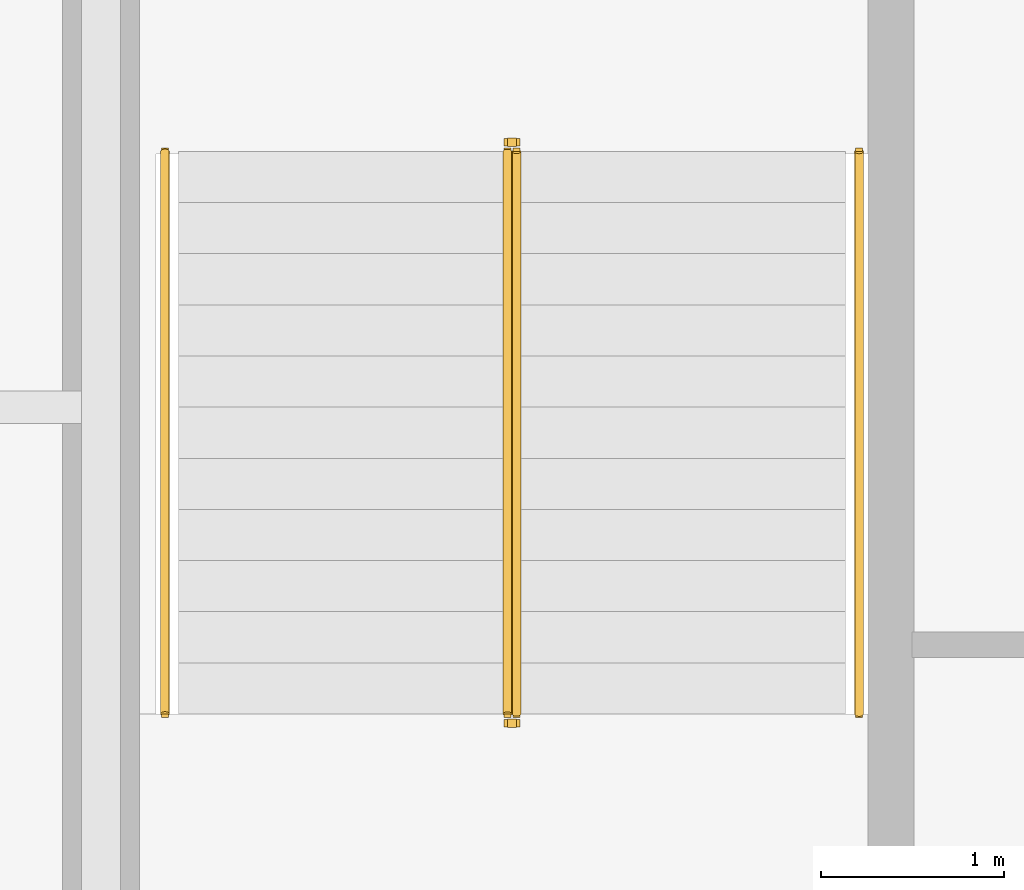
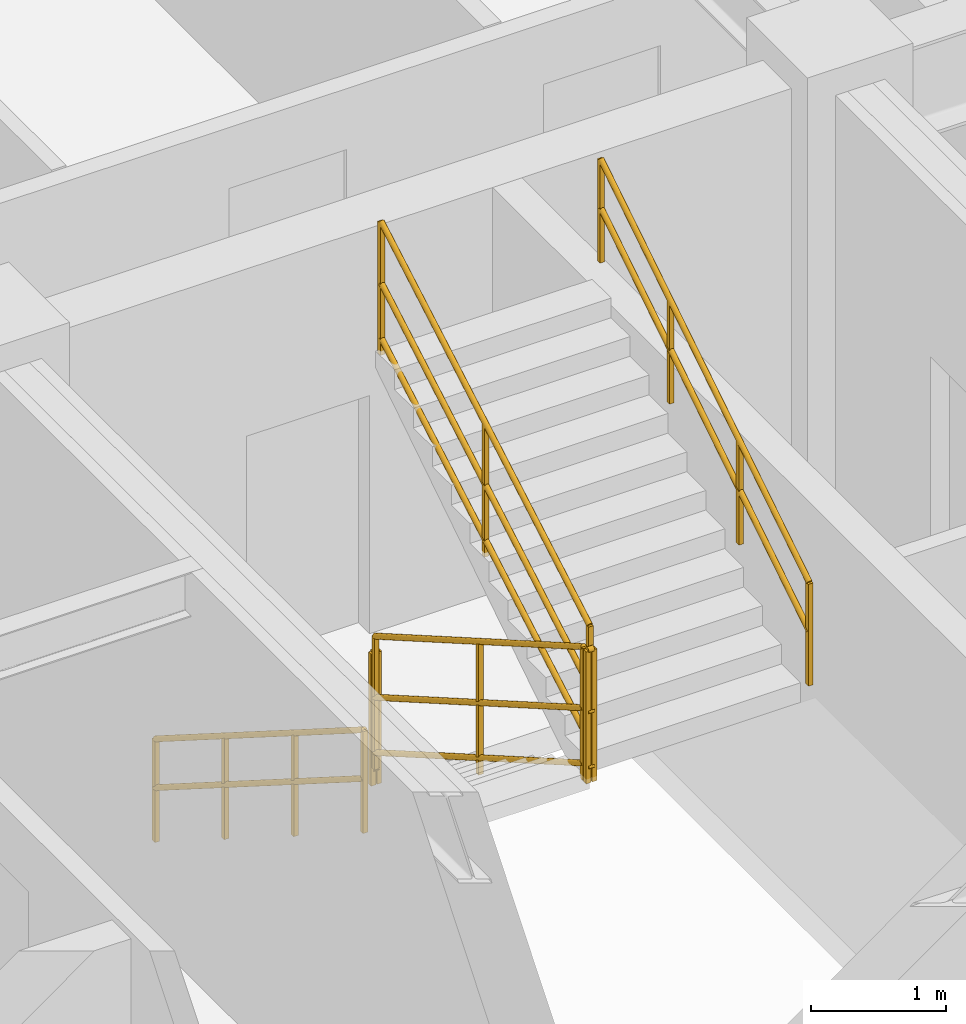
# One storey, part 10 of 10: 6 railings.
"""IFC4 building model written with IfcOpenShell, lengths in metres."""

import ifcopenshell
import ifcopenshell.guid

model = None  # the IFC model being written
_history = None  # IfcOwnerHistory: only IFC2X3 demands one
_inside = {}  # id of a spatial element -> (the spatial element, [elements in it])
_under = {}  # id of a project, library or spatial element -> (it, [spatial elements below it])
_declared = {}  # id of a project -> (the project, [libraries it declares])
_typed = {}  # id of a type object -> (the type object, [elements of that type])
_made_of = {}  # id of a material, layer set ... -> (it, [elements and type objects made of it])


def new_model(schema):
    """Start an empty IFC model of exactly this schema.

    Asked for "IFC4X3", IfcOpenShell would pick the latest addendum, in which some entities
    have other attributes; the version numbers below select the first issue.
    IFC2X3 requires an IfcOwnerHistory on every rooted entity: one is made here for all.
    """
    global model, _history
    if schema == "IFC4X3":
        model = ifcopenshell.file(schema_version=(4, 3, 0, 0))
    else:
        model = ifcopenshell.file(schema=schema)
    _inside.clear()
    _under.clear()
    _declared.clear()
    _typed.clear()
    _made_of.clear()
    _history = None
    if model.schema == "IFC2X3":
        org = make("IfcOrganization", Name="unknown")
        user = make(
            "IfcPersonAndOrganization",
            ThePerson=make("IfcPerson", FamilyName="unknown"),
            TheOrganization=org,
        )
        app = make(
            "IfcApplication",
            ApplicationDeveloper=org,
            Version="unknown",
            ApplicationFullName="unknown",
            ApplicationIdentifier="unknown",
        )
        _history = make(
            "IfcOwnerHistory",
            OwningUser=user,
            OwningApplication=app,
            ChangeAction="ADDED",
            CreationDate=0,
        )
    return model


def make(cls, **values):
    """One entity of the class cls with the attributes given. An attribute that is None is left unset."""
    return model.create_entity(
        cls, **{name: value for name, value in values.items() if value is not None}
    )


def entity(cls, *values):
    """Any entity or typed value of the class cls, its attributes in the order of the schema. None: left unset."""
    e = model.create_entity(cls)
    for i, value in enumerate(values):
        if value is not None:
            e[i] = value
    return e


def rooted(cls, **values):
    """An entity with a GlobalId (a new one), such as an element, a storey or a relation."""
    return make(cls, GlobalId=ifcopenshell.guid.new(), OwnerHistory=_history, **values)


def si_unit(unit_type, name, prefix=None):
    """IfcSIUnit, for example si_unit("LENGTHUNIT", "METRE", prefix="MILLI")."""
    return make("IfcSIUnit", UnitType=unit_type, Prefix=prefix, Name=name)


def converted_unit(unit_type, name, factor, base, dimensions=None, offset=None):
    """IfcConversionBasedUnit, such as the inch: factor (a typed value) times the base unit."""
    return make(
        "IfcConversionBasedUnit"
        if offset is None
        else "IfcConversionBasedUnitWithOffset",
        ConversionOffset=offset,
        Dimensions=None
        if dimensions is None
        else entity("IfcDimensionalExponents", *dimensions),
        UnitType=unit_type,
        Name=name,
        ConversionFactor=make(
            "IfcMeasureWithUnit", ValueComponent=factor, UnitComponent=base
        ),
    )


def assignment(units):
    """IfcUnitAssignment: the units of a project."""
    return None if units is None else make("IfcUnitAssignment", Units=units)


def point(xyz):
    """IfcCartesianPoint."""
    return None if xyz is None else make("IfcCartesianPoint", Coordinates=xyz)


def direction(xyz):
    """IfcDirection."""
    return None if xyz is None else make("IfcDirection", DirectionRatios=xyz)


def frame(location, z_axis=None, x_axis=None):
    """IfcAxis2Placement3D, a coordinate frame: its origin and axes. An axis left out is left unset."""
    return make(
        "IfcAxis2Placement3D",
        Location=point(location),
        Axis=direction(z_axis),
        RefDirection=direction(x_axis),
    )


def frame_2d(location, x_axis=None):
    """IfcAxis2Placement2D, a coordinate frame in the plane: its origin and x axis."""
    return make(
        "IfcAxis2Placement2D", Location=point(location), RefDirection=direction(x_axis)
    )


def origin_with_axes():
    """The frame at (0, 0, 0) with the z axis (0, 0, 1) and the x axis (1, 0, 0) written out."""
    return frame((0.0, 0.0, 0.0), z_axis=(0.0, 0.0, 1.0), x_axis=(1.0, 0.0, 0.0))


def origin_2d_with_axis():
    """The frame at (0, 0) in the plane with the x axis (1, 0) written out."""
    return frame_2d((0.0, 0.0), x_axis=(1.0, 0.0))


def place(relative_to, where):
    """IfcLocalPlacement: puts the frame where relative to a parent placement (None: the world)."""
    return make(
        "IfcLocalPlacement", PlacementRelTo=relative_to, RelativePlacement=where
    )


def context(
    kind, dimensions, precision=None, world=None, true_north=None, identifier=None
):
    """IfcGeometricRepresentationContext, for example the 3D "Model" context."""
    return make(
        "IfcGeometricRepresentationContext",
        ContextIdentifier=identifier,
        ContextType=kind,
        CoordinateSpaceDimension=dimensions,
        Precision=precision,
        WorldCoordinateSystem=world,
        TrueNorth=true_north,
    )


def subcontext(parent, identifier, kind, view, scale=None):
    """IfcGeometricRepresentationSubContext, for example "Body" below "Model"."""
    return make(
        "IfcGeometricRepresentationSubContext",
        ContextIdentifier=identifier,
        ContextType=kind,
        ParentContext=parent,
        TargetScale=scale,
        TargetView=view,
    )


def project(units=None, contexts=None):
    """IfcProject with its units and contexts."""
    return rooted(
        "IfcProject",
        Name="project",
        RepresentationContexts=contexts,
        UnitsInContext=assignment(units),
    )


def spatial(cls, under=None, at=None, **own):
    """A site, building, storey or space (cls), placed at a placement, below another one or the project."""
    s = rooted(cls, ObjectPlacement=at, **own)
    if under is not None:
        _under.setdefault(under.id(), (under, []))[1].append(s)
    return s


def profile(cls, at=None, kind="AREA", **sizes):
    """A parametric profile (cls). Its sizes go by their IFC names, for example OverallWidth=200.0."""
    return make(cls, ProfileType=kind, Position=at, **sizes)


def rectangle(**sizes):
    """IfcRectangleProfileDef."""
    return profile("IfcRectangleProfileDef", **sizes)


def circle(**sizes):
    """IfcCircleProfileDef."""
    return profile("IfcCircleProfileDef", **sizes)


def extrude(swept, where, along, depth):
    """IfcExtrudedAreaSolid: the profile swept, set in the frame where, extruded along a direction by depth."""
    return make(
        "IfcExtrudedAreaSolid",
        SweptArea=swept,
        Position=where,
        ExtrudedDirection=direction(along),
        Depth=depth,
    )


def shape(context_of_items, identifier, shape_type, items):
    """IfcShapeRepresentation: the items that make up one representation, for example the "Body"."""
    return make(
        "IfcShapeRepresentation",
        ContextOfItems=context_of_items,
        RepresentationIdentifier=identifier,
        RepresentationType=shape_type,
        Items=items,
    )


def material(Name=None, Category=None):
    """IfcMaterial."""
    return make("IfcMaterial", Name=Name, Category=Category)


def made_of(thing, what):
    """Note that an element or type object is made of a material, layer set ...; save() writes the relation."""
    if what is not None:
        _made_of.setdefault(what.id(), (what, []))[1].append(thing)
    return thing


def type_object(cls, material=None, **own):
    """A type object (cls), such as IfcWallType, which elements share."""
    return made_of(rooted(cls, **own), material)


def element(
    cls,
    number,
    at=None,
    inside=None,
    cuts=None,
    type_object=None,
    material=None,
    context=None,
    identifier="Body",
    shape_type=None,
    held_by="IfcProductDefinitionShape",
    body=None,
    shapes=None,
    **own,
):
    """One element of the class cls, such as IfcWall. Its Tag is "e" and its number.

    at: its placement. inside: the storey or other place that contains it. cuts: it is an
    opening in that element (IfcRelVoidsElement). A single representation is given by context,
    identifier, shape_type and body (its items); several are given by shapes. held_by: the class
    of the entity that holds the representations. save() writes the other relations.
    """
    e = rooted(cls, Tag="e%d" % number, ObjectPlacement=at, **own)
    if body is not None:
        shapes = [shape(context, identifier, shape_type, body)]
    if shapes is not None:
        e.Representation = make(held_by, Representations=shapes)
    if inside is not None:
        _inside.setdefault(inside.id(), (inside, []))[1].append(e)
    if cuts is not None:
        rooted(
            "IfcRelVoidsElement", RelatingBuildingElement=cuts, RelatedOpeningElement=e
        )
    if type_object is not None:
        _typed.setdefault(type_object.id(), (type_object, []))[1].append(e)
    return made_of(e, material)


def aggregate(whole, parts):
    """IfcRelAggregates: a whole, such as a stair, and the parts it consists of."""
    return rooted("IfcRelAggregates", RelatingObject=whole, RelatedObjects=parts)


def save(model, path):
    """Write the relations noted so far, then the file.

    IfcRelAggregates (storeys below a building ...), IfcRelContainedInSpatialStructure (elements
    in a storey), IfcRelDefinesByType, IfcRelAssociatesMaterial and IfcRelDeclares: one each for
    every whole, place, type object, material and project.
    """
    for whole, parts in _under.values():
        aggregate(whole, parts)
    for where, things in _inside.values():
        rooted(
            "IfcRelContainedInSpatialStructure",
            RelatedElements=things,
            RelatingStructure=where,
        )
    for kind, things in _typed.values():
        rooted("IfcRelDefinesByType", RelatedObjects=things, RelatingType=kind)
    for what, things in _made_of.values():
        rooted("IfcRelAssociatesMaterial", RelatedObjects=things, RelatingMaterial=what)
    for by, libraries in _declared.values():
        rooted("IfcRelDeclares", RelatingContext=by, RelatedDefinitions=libraries)
    model.write(path)


model = new_model("IFC4")

# Units and contexts
model_context = context("Model", 3, precision=1e-05, world=origin_with_axes(), true_north=direction((0.0, 1.0)))
body_context = subcontext(model_context, "Body", "Model", "MODEL_VIEW")
ifc_project = project(units=[si_unit("LENGTHUNIT", "METRE"), si_unit("AREAUNIT", "SQUARE_METRE"), si_unit("VOLUMEUNIT", "CUBIC_METRE"), converted_unit("PLANEANGLEUNIT", "DEGREE", entity("IfcPlaneAngleMeasure", 0.017453292519943295), si_unit("PLANEANGLEUNIT", "RADIAN"), dimensions=[0, 0, 0, 0, 0, 0, 0]), si_unit("MASSUNIT", "GRAM", prefix="KILO"), si_unit("THERMODYNAMICTEMPERATUREUNIT", "KELVIN")], contexts=[model_context])

# Site, building, storey
site_placement = place(None, origin_with_axes())
site = spatial("IfcSite", under=ifc_project, at=site_placement, CompositionType="ELEMENT")
building_placement = place(site_placement, origin_with_axes())
building = spatial("IfcBuilding", under=site, at=building_placement, Name="Varnlund Millrace Tower", CompositionType="ELEMENT")
storey_placement = place(building_placement, frame((0.0, 0.0, 240.3), z_axis=(0.0, 0.0, 1.0), x_axis=(1.0, 0.0, 0.0)))
storey = spatial("IfcBuildingStorey", under=building, at=storey_placement, Name="L59", CompositionType="ELEMENT", Elevation=240.3)

# Railings
ifc_material_1 = material(Name="Painted steel stair well balustrade guard", Category="steel")
railing_type_1 = type_object("IfcRailingType", Name="Type-StairGuard-1150", PredefinedType="GUARDRAIL", material=ifc_material_1)
railing_1_placement = place(storey_placement, frame((0.0, 0.0, -240.3), z_axis=(0.0, 0.0, 1.0), x_axis=(1.0, 0.0, 0.0)))
element("IfcRailing", 1, at=railing_1_placement, inside=storey, type_object=railing_type_1, Name="Type-StairGuard-1150", PredefinedType="GUARDRAIL", context=body_context, shape_type="SweptSolid", body=[
    extrude(circle(Radius=0.024, at=origin_2d_with_axis()), frame((13.625, 35.9, 241.627273), z_axis=(0.0, -0.866696, 0.498836), x_axis=(1.0, 0.0, 0.0)), (0.0, 0.0, 1.0), 3.553725),
    extrude(circle(Radius=0.024, at=origin_2d_with_axis()), frame((13.625, 35.9, 240.577273), z_axis=(0.0, -0.866696, 0.498836), x_axis=(1.0, 0.0, 0.0)), (0.0, 0.0, 1.0), 3.553725),
    extrude(circle(Radius=0.024, at=origin_2d_with_axis()), frame((13.625, 35.9, 241.075273), z_axis=(0.0, -0.866696, 0.498836), x_axis=(1.0, 0.0, 0.0)), (0.0, 0.0, 1.0), 3.553725),
    extrude(rectangle(XDim=0.04, YDim=0.04, at=origin_2d_with_axis()), frame((13.625, 35.9, 240.437273), z_axis=(0.0, 0.0, 1.0), x_axis=(1.0, 0.0, 0.0)), (0.0, 0.0, 1.0), 1.19),
    extrude(rectangle(XDim=0.04, YDim=0.04, at=origin_2d_with_axis()), frame((13.625, 34.36, 241.323636), z_axis=(0.0, 0.0, 1.0), x_axis=(1.0, 0.0, 0.0)), (0.0, 0.0, 1.0), 1.19),
    extrude(rectangle(XDim=0.04, YDim=0.04, at=origin_2d_with_axis()), frame((13.625, 32.82, 242.21), z_axis=(0.0, 0.0, 1.0), x_axis=(1.0, 0.0, 0.0)), (0.0, 0.0, 1.0), 1.19),
])
railing_2_placement = place(storey_placement, frame((0.0, 0.0, -240.3), z_axis=(0.0, 0.0, 1.0), x_axis=(1.0, 0.0, 0.0)))
element("IfcRailing", 2, at=railing_2_placement, inside=storey, type_object=railing_type_1, Name="Type-StairGuard-1150", PredefinedType="GUARDRAIL", context=body_context, shape_type="SweptSolid", body=[
    extrude(circle(Radius=0.024, at=origin_2d_with_axis()), frame((13.675, 32.77, 243.4), z_axis=(-1.0, 0.0, 0.0), x_axis=(0.0, -1.0, 0.0)), (0.0, 0.0, 1.0), 0.05),
    extrude(circle(Radius=0.024, at=origin_2d_with_axis()), frame((13.675, 32.77, 242.35), z_axis=(-1.0, 0.0, 0.0), x_axis=(0.0, -1.0, 0.0)), (0.0, 0.0, 1.0), 0.05),
    extrude(circle(Radius=0.024, at=origin_2d_with_axis()), frame((13.675, 32.77, 242.848), z_axis=(-1.0, 0.0, 0.0), x_axis=(0.0, -1.0, 0.0)), (0.0, 0.0, 1.0), 0.05),
    extrude(rectangle(XDim=0.04, YDim=0.04, at=origin_2d_with_axis()), frame((13.675, 32.77, 242.21), z_axis=(0.0, 0.0, 1.0), x_axis=(1.0, 0.0, 0.0)), (0.0, 0.0, 1.0), 1.19),
    extrude(rectangle(XDim=0.04, YDim=0.04, at=origin_2d_with_axis()), frame((13.625, 32.77, 242.21), z_axis=(0.0, 0.0, 1.0), x_axis=(1.0, 0.0, 0.0)), (0.0, 0.0, 1.0), 1.19),
])
railing_3_placement = place(storey_placement, frame((0.0, 0.0, -240.3), z_axis=(0.0, 0.0, 1.0), x_axis=(1.0, 0.0, 0.0)))
element("IfcRailing", 3, at=railing_3_placement, inside=storey, type_object=railing_type_1, Name="Type-StairGuard-1150", PredefinedType="GUARDRAIL", context=body_context, shape_type="SweptSolid", body=[
    extrude(circle(Radius=0.024, at=origin_2d_with_axis()), frame((13.675, 32.82, 243.577273), z_axis=(0.0, 0.866696, 0.498836), x_axis=(-1.0, 0.0, 0.0)), (0.0, 0.0, 1.0), 3.553725),
    extrude(circle(Radius=0.024, at=origin_2d_with_axis()), frame((13.675, 32.82, 242.527273), z_axis=(0.0, 0.866696, 0.498836), x_axis=(-1.0, 0.0, 0.0)), (0.0, 0.0, 1.0), 3.553725),
    extrude(circle(Radius=0.024, at=origin_2d_with_axis()), frame((13.675, 32.82, 243.025273), z_axis=(0.0, 0.866696, 0.498836), x_axis=(-1.0, 0.0, 0.0)), (0.0, 0.0, 1.0), 3.553725),
    extrude(rectangle(XDim=0.04, YDim=0.04, at=origin_2d_with_axis()), frame((13.675, 32.82, 242.387273), z_axis=(0.0, 0.0, 1.0), x_axis=(1.0, 0.0, 0.0)), (0.0, 0.0, 1.0), 1.19),
    extrude(rectangle(XDim=0.04, YDim=0.04, at=origin_2d_with_axis()), frame((13.675, 34.36, 243.273637), z_axis=(0.0, 0.0, 1.0), x_axis=(1.0, 0.0, 0.0)), (0.0, 0.0, 1.0), 1.19),
    extrude(rectangle(XDim=0.04, YDim=0.04, at=origin_2d_with_axis()), frame((13.675, 35.9, 244.16), z_axis=(0.0, 0.0, 1.0), x_axis=(1.0, 0.0, 0.0)), (0.0, 0.0, 1.0), 1.19),
])
railing_4_placement = place(storey_placement, frame((0.0, 0.0, -240.3), z_axis=(0.0, 0.0, 1.0), x_axis=(1.0, 0.0, 0.0)))
element("IfcRailing", 4, at=railing_4_placement, inside=storey, type_object=railing_type_1, Name="Type-StairGuard-1150", PredefinedType="GUARDRAIL", context=body_context, shape_type="SweptSolid", body=[
    extrude(circle(Radius=0.024, at=origin_2d_with_axis()), frame((13.675, 35.95, 241.45), z_axis=(-1.0, 0.0, 0.0), x_axis=(0.0, -1.0, 0.0)), (0.0, 0.0, 1.0), 0.05),
    extrude(circle(Radius=0.024, at=origin_2d_with_axis()), frame((13.675, 35.95, 240.4), z_axis=(-1.0, 0.0, 0.0), x_axis=(0.0, -1.0, 0.0)), (0.0, 0.0, 1.0), 0.05),
    extrude(circle(Radius=0.024, at=origin_2d_with_axis()), frame((13.675, 35.95, 240.898), z_axis=(-1.0, 0.0, 0.0), x_axis=(0.0, -1.0, 0.0)), (0.0, 0.0, 1.0), 0.05),
    extrude(rectangle(XDim=0.04, YDim=0.04, at=origin_2d_with_axis()), frame((13.675, 35.95, 240.26), z_axis=(0.0, 0.0, 1.0), x_axis=(1.0, 0.0, 0.0)), (0.0, 0.0, 1.0), 1.19),
    extrude(rectangle(XDim=0.04, YDim=0.04, at=origin_2d_with_axis()), frame((13.625, 35.95, 240.26), z_axis=(0.0, 0.0, 1.0), x_axis=(1.0, 0.0, 0.0)), (0.0, 0.0, 1.0), 1.19),
])
ifc_material_2 = material(Name="Brushed architectural bronze stair handrail", Category="aluminium")
railing_type_2 = type_object("IfcRailingType", Name="Type-StairHandrail-900", PredefinedType="HANDRAIL", material=ifc_material_2)
railing_5_placement = place(storey_placement, frame((0.0, 0.0, -240.3), z_axis=(0.0, 0.0, 1.0), x_axis=(1.0, 0.0, 0.0)))
element("IfcRailing", 5, at=railing_5_placement, inside=storey, type_object=railing_type_2, Name="Type-StairHandrail-900", PredefinedType="HANDRAIL", context=body_context, shape_type="SweptSolid", body=[
    extrude(circle(Radius=0.024, at=origin_2d_with_axis()), frame((11.75, 35.9, 241.356995), z_axis=(0.0, -0.844902, 0.534922), x_axis=(1.0, 0.0, 0.0)), (0.0, 0.0, 1.0), 3.645394),
    extrude(circle(Radius=0.024, at=origin_2d_with_axis()), frame((11.75, 35.9, 240.917134), z_axis=(0.0, -0.844902, 0.534922), x_axis=(1.0, 0.0, 0.0)), (0.0, 0.0, 1.0), 3.645394),
    extrude(rectangle(XDim=0.04, YDim=0.04, at=origin_2d_with_axis()), frame((11.75, 35.9, 240.437273), z_axis=(0.0, 0.0, 1.0), x_axis=(1.0, 0.0, 0.0)), (0.0, 0.0, 1.0), 0.919722),
    extrude(rectangle(XDim=0.04, YDim=0.04, at=origin_2d_with_axis()), frame((11.75, 34.873333, 241.087273), z_axis=(0.0, 0.0, 1.0), x_axis=(1.0, 0.0, 0.0)), (0.0, 0.0, 1.0), 0.919722),
    extrude(rectangle(XDim=0.04, YDim=0.04, at=origin_2d_with_axis()), frame((11.75, 33.846667, 241.737273), z_axis=(0.0, 0.0, 1.0), x_axis=(1.0, 0.0, 0.0)), (0.0, 0.0, 1.0), 0.919722),
    extrude(rectangle(XDim=0.04, YDim=0.04, at=origin_2d_with_axis()), frame((11.75, 32.82, 242.387273), z_axis=(0.0, 0.0, 1.0), x_axis=(1.0, 0.0, 0.0)), (0.0, 0.0, 1.0), 0.919722),
])
railing_6_placement = place(storey_placement, frame((0.0, 0.0, -240.3), z_axis=(0.0, 0.0, 1.0), x_axis=(1.0, 0.0, 0.0)))
element("IfcRailing", 6, at=railing_6_placement, inside=storey, type_object=railing_type_2, Name="Type-StairHandrail-900", PredefinedType="HANDRAIL", context=body_context, shape_type="SweptSolid", body=[
    extrude(circle(Radius=0.024, at=origin_2d_with_axis()), frame((15.55, 32.82, 243.306995), z_axis=(0.0, 0.844902, 0.534922), x_axis=(-1.0, 0.0, 0.0)), (0.0, 0.0, 1.0), 3.645394),
    extrude(circle(Radius=0.024, at=origin_2d_with_axis()), frame((15.55, 32.82, 242.867134), z_axis=(0.0, 0.844902, 0.534922), x_axis=(-1.0, 0.0, 0.0)), (0.0, 0.0, 1.0), 3.645394),
    extrude(rectangle(XDim=0.04, YDim=0.04, at=origin_2d_with_axis()), frame((15.55, 32.82, 242.387273), z_axis=(0.0, 0.0, 1.0), x_axis=(1.0, 0.0, 0.0)), (0.0, 0.0, 1.0), 0.919722),
    extrude(rectangle(XDim=0.04, YDim=0.04, at=origin_2d_with_axis()), frame((15.55, 33.846667, 243.037273), z_axis=(0.0, 0.0, 1.0), x_axis=(1.0, 0.0, 0.0)), (0.0, 0.0, 1.0), 0.919722),
    extrude(rectangle(XDim=0.04, YDim=0.04, at=origin_2d_with_axis()), frame((15.55, 34.873333, 243.687273), z_axis=(0.0, 0.0, 1.0), x_axis=(1.0, 0.0, 0.0)), (0.0, 0.0, 1.0), 0.919722),
    extrude(rectangle(XDim=0.04, YDim=0.04, at=origin_2d_with_axis()), frame((15.55, 35.9, 244.337273), z_axis=(0.0, 0.0, 1.0), x_axis=(1.0, 0.0, 0.0)), (0.0, 0.0, 1.0), 0.919722),
])

save(model, "model.ifc")
